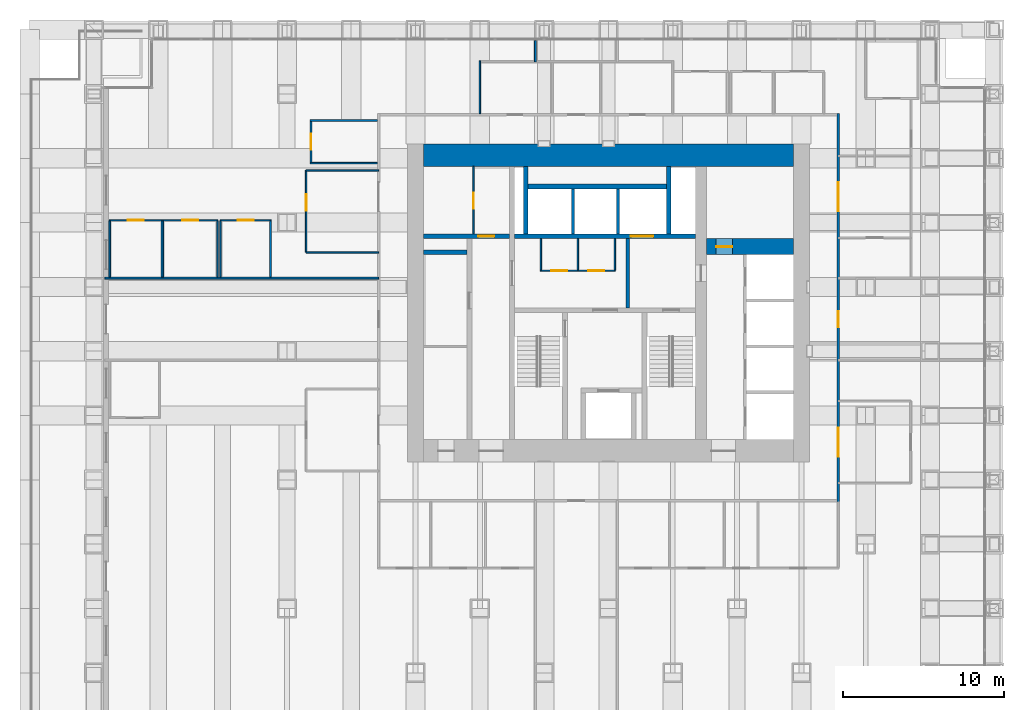
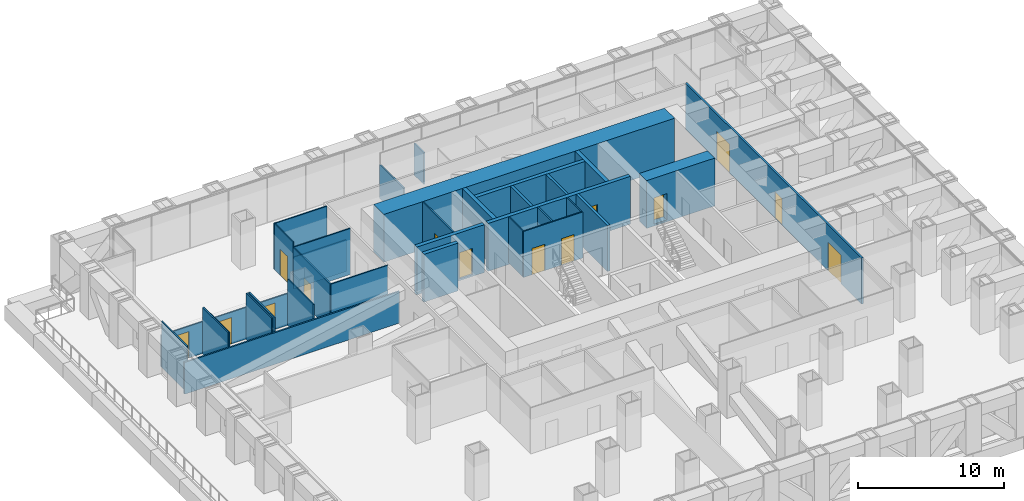
# One storey, part 15 of 18: 35 walls, 14 doors, 14 openings.
"""IFC4 building model written with IfcOpenShell, lengths in metres."""

from ifc_helpers import new_model, si_unit, direction, frame, frame_2d, origin, place, context, subcontext, project, spatial, rectangle, extrude, material, layer, layer_set, type_object, element, fill, save


model = new_model("IFC4")

# Units and contexts
model_context = context("Model", 3, precision=1e-05, world=origin(), true_north=direction((0.0, 1.0)))
body_context = subcontext(model_context, "Body", "Model", "MODEL_VIEW")
ifc_project = project(units=[si_unit("LENGTHUNIT", "METRE"), si_unit("AREAUNIT", "SQUARE_METRE"), si_unit("VOLUMEUNIT", "CUBIC_METRE"), si_unit("PLANEANGLEUNIT", "RADIAN"), si_unit("MASSUNIT", "GRAM", prefix="KILO")], contexts=[model_context])

# Site, building, storey
site_placement = place(None, origin())
site = spatial("IfcSite", under=ifc_project, at=site_placement, CompositionType="ELEMENT")
building_placement = place(site_placement, origin())
building = spatial("IfcBuilding", under=site, at=building_placement, Name="Rimbunsela Tower", CompositionType="ELEMENT")
storey_placement = place(building_placement, frame((0.0, 0.0, 11.0)))
storey = spatial("IfcBuildingStorey", under=building, at=storey_placement, Name="L02", CompositionType="ELEMENT", Elevation=11.0)

# Wall, opening, door
ifc_material_1 = material(Name="Concrete fc' 80 MPa", Category="concrete")
ifc_layer_1 = layer(ifc_material_1, 0.300048828125)
ifc_layer_set_1 = layer_set([ifc_layer_1], Name="Core internal wall 300")
wall_type_1 = type_object("IfcWallType", Name="Core internal wall 300", PredefinedType="SHEAR", material=ifc_layer_set_1)
wall_1_placement = place(storey_placement, frame((24.14990234375, 31.14990234375, -0.14990234375), z_axis=(0.0, 0.0, 1.0), x_axis=(1.0, 0.0, 0.0)))
wall_1 = element("IfcWall", 1, at=wall_1_placement, inside=storey, type_object=wall_type_1, Name="Lift shaft front north", PredefinedType="SHEAR", context=body_context, shape_type="SweptSolid", body=[
    extrude(rectangle(XDim=11.25, YDim=0.300048828125, at=frame_2d((5.625, 0.0))), origin(), (0.0, 0.0, 1.0), 4.0),
])
opening_1_placement = place(wall_1_placement, frame((7.25, 0.0, 0.14990234375)))
opening_1 = element("IfcOpeningElement", 2, at=opening_1_placement, cuts=wall_1, Name="Opening LD3", PredefinedType="OPENING", context=body_context, shape_type="SweptSolid", body=[
    extrude(rectangle(XDim=1.39990234375, YDim=2.39990234375, at=frame_2d((0.699951171875, 1.199951171875))), frame((0.0, 0.159912109375, 0.0), z_axis=(0.0, -1.0, 0.0), x_axis=(1.0, 0.0, 0.0)), (0.0, 0.0, 1.0), 0.320068359375),
])
ifc_material_2 = material(Name="Steel door, fire rated", Category="steel")
door_type_1 = type_object("IfcDoorType", Name="Lift landing door 1400", OperationType="DOUBLE_DOOR_SLIDING", PredefinedType="DOOR", material=ifc_material_2)
door_1_placement = place(opening_1_placement, origin())
door_1 = element("IfcDoor", 3, at=door_1_placement, inside=storey, type_object=door_type_1, Name="Lift landing door FL2", OperationType="DOUBLE_DOOR_SLIDING", OverallHeight=2.39990234375, OverallWidth=1.39990234375, PredefinedType="DOOR", context=body_context, shape_type="SweptSolid", body=[
    extrude(rectangle(XDim=1.39990234375, YDim=2.39990234375, at=frame_2d((0.699951171875, 1.199951171875))), frame((0.0, 0.02490234375, 0.0), z_axis=(0.0, -1.0, 0.0), x_axis=(1.0, 0.0, 0.0)), (0.0, 0.0, 1.0), 0.050048828125),
])
fill(opening_1, door_1)

wall_2_placement = place(storey_placement, frame((18.5, 31.14990234375, -0.14990234375), z_axis=(0.0, 0.0, 1.0), x_axis=(1.0, 0.0, 0.0)))
wall_2 = element("IfcWall", 4, at=wall_2_placement, inside=storey, type_object=wall_type_1, Name="Store wall", PredefinedType="SHEAR", context=body_context, shape_type="SweptSolid", body=[
    extrude(rectangle(XDim=5.35009765625, YDim=0.300048828125, at=frame_2d((2.675048828125, 0.0))), origin(), (0.0, 0.0, 1.0), 4.0),
])
opening_2_placement = place(wall_2_placement, frame((3.39990234375, 0.0, 0.14990234375)))
opening_2 = element("IfcOpeningElement", 5, at=opening_2_placement, cuts=wall_2, Name="Opening D19", PredefinedType="OPENING", context=body_context, shape_type="SweptSolid", body=[
    extrude(rectangle(XDim=1.0, YDim=2.199951171875, at=frame_2d((0.5, 1.10009765625))), frame((0.0, 0.159912109375, 0.0), z_axis=(0.0, -1.0, 0.0), x_axis=(1.0, 0.0, 0.0)), (0.0, 0.0, 1.0), 0.320068359375),
])
ifc_material_3 = material(Name="Steel door, fire rated", Category="steel")
door_type_2 = type_object("IfcDoorType", Name="Service door 1000 fire rated", OperationType="SINGLE_SWING_LEFT", PredefinedType="DOOR", material=ifc_material_3)
door_2_placement = place(opening_2_placement, origin())
door_2 = element("IfcDoor", 6, at=door_2_placement, inside=storey, type_object=door_type_2, Name="Staff pantry door", OperationType="SINGLE_SWING_LEFT", OverallHeight=2.199951171875, OverallWidth=1.0, PredefinedType="DOOR", context=body_context, shape_type="SweptSolid", body=[
    extrude(rectangle(XDim=1.0, YDim=2.199951171875, at=frame_2d((0.5, 1.10009765625))), frame((0.0, 0.02490234375, 0.0), z_axis=(0.0, -1.0, 0.0), x_axis=(1.0, 0.0, 0.0)), (0.0, 0.0, 1.0), 0.050048828125),
])
fill(opening_2, door_2)

# Walls
wall_3_placement = place(storey_placement, frame((18.5, 30.14990234375, -0.14990234375), z_axis=(0.0, 0.0, 1.0), x_axis=(1.0, 0.0, 0.0)))
element("IfcWall", 7, at=wall_3_placement, inside=storey, type_object=wall_type_1, Name="Lift shaft rear west", PredefinedType="SHEAR", context=body_context, shape_type="SweptSolid", body=[
    extrude(rectangle(XDim=2.699951171875, YDim=0.300048828125, at=frame_2d((1.35009765625, 0.0))), origin(), (0.0, 0.0, 1.0), 4.0),
])
for number, where, z_axis, x_axis, name in (
    (8, (24.85009765625, 31.300048828125, -0.14990234375), (0.0, 0.0, 1.0), (0.0, 1.0, 0.0), "Riser wall"),
    (9, (33.75, 31.300048828125, -0.14990234375), (0.0, 0.0, 1.0), (0.0, 1.0, 0.0), "Riser wall"),
):
    element("IfcWall", number, at=place(storey_placement, frame(where, z_axis=z_axis, x_axis=x_axis)), inside=storey, type_object=wall_type_1, Name=name, PredefinedType="SHEAR", context=body_context, shape_type="SweptSolid", body=[
        extrude(rectangle(XDim=4.199951171875, YDim=0.300048828125, at=frame_2d((2.10009765625, 0.0))), origin(), (0.0, 0.0, 1.0), 4.0),
    ])
wall_4_placement = place(storey_placement, frame((25.0, 34.25, -0.14990234375), z_axis=(0.0, 0.0, 1.0), x_axis=(1.0, 0.0, 0.0)))
element("IfcWall", 10, at=wall_4_placement, inside=storey, type_object=wall_type_1, Name="Lift shaft rear north", PredefinedType="SHEAR", context=body_context, shape_type="SweptSolid", body=[
    extrude(rectangle(XDim=8.60009765625, YDim=0.300048828125, at=frame_2d((4.300048828125, 0.0))), origin(), (0.0, 0.0, 1.0), 4.0),
])

# Wall, opening, door
ifc_material_4 = material(Name="Concrete blockwork", Category="masonry")
ifc_layer_2 = layer(ifc_material_4, 0.10009765625)
ifc_layer_set_2 = layer_set([ifc_layer_2], Name="Core room partition 100")
wall_type_2 = type_object("IfcWallType", Name="Core room partition 100", PredefinedType="PARTITIONING", material=ifc_layer_set_2)
wall_5_placement = place(storey_placement, frame((21.60009765625, 31.300048828125, 0.0), z_axis=(0.0, 0.0, 1.0), x_axis=(0.0, 1.0, 0.0)))
wall_5 = element("IfcWall", 11, at=wall_5_placement, inside=storey, type_object=wall_type_2, Name="Housekeeping store wall", PredefinedType="PARTITIONING", context=body_context, shape_type="SweptSolid", body=[
    extrude(rectangle(XDim=4.199951171875, YDim=0.10009765625, at=frame_2d((2.10009765625, 0.0))), origin(), (0.0, 0.0, 1.0), 3.85009765625),
])
opening_3_placement = place(wall_5_placement, frame((1.550048828125, 0.0, 0.0)))
opening_3 = element("IfcOpeningElement", 12, at=opening_3_placement, cuts=wall_5, Name="Opening D19", PredefinedType="OPENING", context=body_context, shape_type="SweptSolid", body=[
    extrude(rectangle(XDim=1.0, YDim=2.199951171875, at=frame_2d((0.5, 1.10009765625))), frame((0.0, 0.06005859375, 0.0), z_axis=(0.0, -1.0, 0.0), x_axis=(1.0, 0.0, 0.0)), (0.0, 0.0, 1.0), 0.1201171875),
])
door_3_placement = place(opening_3_placement, origin())
door_3 = element("IfcDoor", 13, at=door_3_placement, inside=storey, type_object=door_type_2, Name="Housekeeping store door", OperationType="SINGLE_SWING_LEFT", OverallHeight=2.199951171875, OverallWidth=1.0, PredefinedType="DOOR", context=body_context, shape_type="SweptSolid", body=[
    extrude(rectangle(XDim=1.0, YDim=2.199951171875, at=frame_2d((0.5, 1.10009765625))), frame((0.0, 0.02490234375, 0.0), z_axis=(0.0, -1.0, 0.0), x_axis=(1.0, 0.0, 0.0)), (0.0, 0.0, 1.0), 0.050048828125),
])
fill(opening_3, door_3)

# Wall, openings, doors
wall_6_placement = place(storey_placement, frame((25.75, 29.0, 0.0), z_axis=(0.0, 0.0, 1.0), x_axis=(1.0, 0.0, 0.0)))
wall_6 = element("IfcWall", 14, at=wall_6_placement, inside=storey, type_object=wall_type_2, Name="Lobby room wall", PredefinedType="PARTITIONING", context=body_context, shape_type="SweptSolid", body=[
    extrude(rectangle(XDim=4.699951171875, YDim=0.10009765625, at=frame_2d((2.35009765625, 0.0))), origin(), (0.0, 0.0, 1.0), 3.85009765625),
])
opening_4_placement = place(wall_6_placement, frame((0.699951171875, 0.0, 0.0)))
opening_4 = element("IfcOpeningElement", 15, at=opening_4_placement, cuts=wall_6, Name="Opening D19", PredefinedType="OPENING", context=body_context, shape_type="SweptSolid", body=[
    extrude(rectangle(XDim=1.0, YDim=2.199951171875, at=frame_2d((0.5, 1.10009765625))), frame((0.0, 0.06005859375, 0.0), z_axis=(0.0, -1.0, 0.0), x_axis=(1.0, 0.0, 0.0)), (0.0, 0.0, 1.0), 0.1201171875),
])
opening_5_placement = place(wall_6_placement, frame((3.0, 0.0, 0.0)))
opening_5 = element("IfcOpeningElement", 16, at=opening_5_placement, cuts=wall_6, Name="Opening D19", PredefinedType="OPENING", context=body_context, shape_type="SweptSolid", body=[
    extrude(rectangle(XDim=1.0, YDim=2.199951171875, at=frame_2d((0.5, 1.10009765625))), frame((0.0, 0.06005859375, 0.0), z_axis=(0.0, -1.0, 0.0), x_axis=(1.0, 0.0, 0.0)), (0.0, 0.0, 1.0), 0.1201171875),
])
door_4_placement = place(opening_4_placement, origin())
door_4 = element("IfcDoor", 17, at=door_4_placement, inside=storey, type_object=door_type_2, Name="Staff WC door", OperationType="SINGLE_SWING_LEFT", OverallHeight=2.199951171875, OverallWidth=1.0, PredefinedType="DOOR", context=body_context, shape_type="SweptSolid", body=[
    extrude(rectangle(XDim=1.0, YDim=2.199951171875, at=frame_2d((0.5, 1.10009765625))), frame((0.0, 0.02490234375, 0.0), z_axis=(0.0, -1.0, 0.0), x_axis=(1.0, 0.0, 0.0)), (0.0, 0.0, 1.0), 0.050048828125),
])
fill(opening_4, door_4)
door_5_placement = place(opening_5_placement, origin())
door_5 = element("IfcDoor", 18, at=door_5_placement, inside=storey, type_object=door_type_2, Name="Cleaners store door", OperationType="SINGLE_SWING_LEFT", OverallHeight=2.199951171875, OverallWidth=1.0, PredefinedType="DOOR", context=body_context, shape_type="SweptSolid", body=[
    extrude(rectangle(XDim=1.0, YDim=2.199951171875, at=frame_2d((0.5, 1.10009765625))), frame((0.0, 0.02490234375, 0.0), z_axis=(0.0, -1.0, 0.0), x_axis=(1.0, 0.0, 0.0)), (0.0, 0.0, 1.0), 0.050048828125),
])
fill(opening_5, door_5)

# Walls
for number, where, z_axis, x_axis, name in (
    (19, (25.800048828125, 29.050048828125, 0.0), (0.0, 0.0, 1.0), (0.0, 1.0, 0.0), "Lobby room wall"),
    (20, (30.39990234375, 29.050048828125, 0.0), (0.0, 0.0, 1.0), (0.0, 1.0, 0.0), "Lobby room wall"),
    (21, (28.10009765625, 29.050048828125, 0.0), (0.0, 0.0, 1.0), (0.0, 1.0, 0.0), "Lobby room wall"),
):
    element("IfcWall", number, at=place(storey_placement, frame(where, z_axis=z_axis, x_axis=x_axis)), inside=storey, type_object=wall_type_2, Name=name, PredefinedType="PARTITIONING", context=body_context, shape_type="SweptSolid", body=[
        extrude(rectangle(XDim=1.949951171875, YDim=0.10009765625, at=frame_2d((0.97509765625, 0.0))), origin(), (0.0, 0.0, 1.0), 3.85009765625),
    ])

# Wall, opening, door
ifc_material_5 = material(Name="Concrete fc' 80 MPa", Category="concrete")
ifc_layer_3 = layer(ifc_material_5, 1.0)
ifc_layer_set_3 = layer_set([ifc_layer_3], Name="Core wall 1000")
wall_type_3 = type_object("IfcWallType", Name="Core wall 1000", PredefinedType="SHEAR", material=ifc_layer_set_3)
wall_7_placement = place(storey_placement, frame((36.10009765625, 30.5, -0.14990234375), z_axis=(0.0, 0.0, 1.0), x_axis=(1.0, 0.0, 0.0)))
wall_7 = element("IfcWall", 22, at=wall_7_placement, inside=storey, type_object=wall_type_3, Name="Lift shaft rear east", PredefinedType="SHEAR", context=body_context, shape_type="SweptSolid", body=[
    extrude(rectangle(XDim=5.39990234375, YDim=1.0, at=frame_2d((2.699951171875, 0.0))), origin(), (0.0, 0.0, 1.0), 4.0),
])
opening_6_placement = place(wall_7_placement, frame((0.60009765625, 0.0, 0.14990234375)))
opening_6 = element("IfcOpeningElement", 23, at=opening_6_placement, cuts=wall_7, Name="Opening D19", PredefinedType="OPENING", context=body_context, shape_type="SweptSolid", body=[
    extrude(rectangle(XDim=1.0, YDim=2.199951171875, at=frame_2d((0.5, 1.10009765625))), frame((0.0, 0.510009765625, 0.0), z_axis=(0.0, -1.0, 0.0), x_axis=(1.0, 0.0, 0.0)), (0.0, 0.0, 1.0), 1.02001953125),
])
door_6_placement = place(opening_6_placement, origin())
door_6 = element("IfcDoor", 24, at=door_6_placement, inside=storey, type_object=door_type_2, Name="Communications room door", OperationType="SINGLE_SWING_LEFT", OverallHeight=2.199951171875, OverallWidth=1.0, PredefinedType="DOOR", context=body_context, shape_type="SweptSolid", body=[
    extrude(rectangle(XDim=1.0, YDim=2.199951171875, at=frame_2d((0.5, 1.10009765625))), frame((0.0, 0.02490234375, 0.0), z_axis=(0.0, -1.0, 0.0), x_axis=(1.0, 0.0, 0.0)), (0.0, 0.0, 1.0), 0.050048828125),
])
fill(opening_6, door_6)

# Walls
ifc_material_6 = material(Name="Concrete fc' 80 MPa", Category="concrete")
ifc_layer_4 = layer(ifc_material_6, 1.39990234375)
ifc_layer_set_4 = layer_set([ifc_layer_4], Name="Core wall 1400")
wall_type_4 = type_object("IfcWallType", Name="Core wall 1400", PredefinedType="SHEAR", material=ifc_layer_set_4)
wall_8_placement = place(storey_placement, frame((18.5, 36.199951171875, -0.14990234375), z_axis=(0.0, 0.0, 1.0), x_axis=(1.0, 0.0, 0.0)))
element("IfcWall", 25, at=wall_8_placement, inside=storey, type_object=wall_type_4, Name="Core wall north", PredefinedType="SHEAR", context=body_context, shape_type="SweptSolid", body=[
    extrude(rectangle(XDim=23.0, YDim=1.39990234375, at=frame_2d((11.5, 0.0))), origin(), (0.0, 0.0, 1.0), 4.0),
])
ifc_material_7 = material(Name="Concrete blockwork", Category="masonry")
ifc_layer_5 = layer(ifc_material_7, 0.199951171875)
ifc_layer_set_5 = layer_set([ifc_layer_5], Name="Lift shaft wall 200")
wall_type_5 = type_object("IfcWallType", Name="Lift shaft wall 200", PredefinedType="SOLIDWALL", material=ifc_layer_set_5)
for number, where, z_axis, x_axis, name in (
    (26, (27.800048828125, 31.300048828125, -0.14990234375), (0.0, 0.0, 1.0), (0.0, 1.0, 0.0), "Lift shaft separation"),
    (27, (30.60009765625, 31.300048828125, -0.14990234375), (0.0, 0.0, 1.0), (0.0, 1.0, 0.0), "Lift shaft separation"),
):
    element("IfcWall", number, at=place(storey_placement, frame(where, z_axis=z_axis, x_axis=x_axis)), inside=storey, type_object=wall_type_5, Name=name, PredefinedType="SOLIDWALL", context=body_context, shape_type="SweptSolid", body=[
        extrude(rectangle(XDim=2.800048828125, YDim=0.199951171875, at=frame_2d((1.39990234375, 0.0))), origin(), (0.0, 0.0, 1.0), 4.0),
    ])
wall_9_placement = place(storey_placement, frame((31.199951171875, 26.699951171875, 0.0), z_axis=(0.0, 0.0, 1.0), x_axis=(0.0, 1.0, 0.0)))
element("IfcWall", 28, at=wall_9_placement, inside=storey, type_object=wall_type_5, Name="Firefighting lobby 2 wall", PredefinedType="SOLIDWALL", context=body_context, shape_type="SweptSolid", body=[
    extrude(rectangle(XDim=4.300048828125, YDim=0.199951171875, at=frame_2d((2.14990234375, 0.0))), origin(), (0.0, 0.0, 1.0), 3.85009765625),
])

# Wall, opening, door
ifc_material_8 = material(Name="Gypsum board on steel studs", Category="steel")
ifc_layer_6 = layer(ifc_material_8, 0.10009765625)
ifc_layer_set_6 = layer_set([ifc_layer_6], Name="Office partition 100")
wall_type_6 = type_object("IfcWallType", Name="Office partition 100", PredefinedType="PARTITIONING", material=ifc_layer_set_6)
wall_10_placement = place(storey_placement, frame((-1.070068359375, 32.14990234375, 0.0), z_axis=(0.0, 0.0, 1.0), x_axis=(1.0, 0.0, 0.0)))
wall_10 = element("IfcWall", 29, at=wall_10_placement, inside=storey, type_object=wall_type_6, Name="Office partition", PredefinedType="PARTITIONING", context=body_context, shape_type="SweptSolid", body=[
    extrude(rectangle(XDim=3.35009765625, YDim=0.10009765625, at=frame_2d((1.675048828125, 0.0))), origin(), (0.0, 0.0, 1.0), 2.64990234375),
])
opening_7_placement = place(wall_10_placement, frame((1.175048828125, 0.0, 0.0)))
opening_7 = element("IfcOpeningElement", 30, at=opening_7_placement, cuts=wall_10, Name="Opening D16", PredefinedType="OPENING", context=body_context, shape_type="SweptSolid", body=[
    extrude(rectangle(XDim=1.0, YDim=2.199951171875, at=frame_2d((0.5, 1.10009765625))), frame((0.0, 0.06005859375, 0.0), z_axis=(0.0, -1.0, 0.0), x_axis=(1.0, 0.0, 0.0)), (0.0, 0.0, 1.0), 0.1201171875),
])
ifc_material_9 = material(Name="Timber door", Category="wood")
door_type_3 = type_object("IfcDoorType", Name="Office door 1000", OperationType="SINGLE_SWING_LEFT", PredefinedType="DOOR", material=ifc_material_9)
door_7_placement = place(opening_7_placement, origin())
door_7 = element("IfcDoor", 31, at=door_7_placement, inside=storey, type_object=door_type_3, Name="Office door", OperationType="SINGLE_SWING_LEFT", OverallHeight=2.199951171875, OverallWidth=1.0, PredefinedType="DOOR", context=body_context, shape_type="SweptSolid", body=[
    extrude(rectangle(XDim=1.0, YDim=2.199951171875, at=frame_2d((0.5, 1.10009765625))), frame((0.0, 0.02490234375, 0.0), z_axis=(0.0, -1.0, 0.0), x_axis=(1.0, 0.0, 0.0)), (0.0, 0.0, 1.0), 0.050048828125),
])
fill(opening_7, door_7)

wall_11_placement = place(storey_placement, frame((2.22998046875, 32.14990234375, 0.0), z_axis=(0.0, 0.0, 1.0), x_axis=(1.0, 0.0, 0.0)))
wall_11 = element("IfcWall", 32, at=wall_11_placement, inside=storey, type_object=wall_type_6, Name="Office partition", PredefinedType="PARTITIONING", context=body_context, shape_type="SweptSolid", body=[
    extrude(rectangle(XDim=3.5, YDim=0.10009765625, at=frame_2d((1.75, 0.0))), origin(), (0.0, 0.0, 1.0), 2.64990234375),
])
opening_8_placement = place(wall_11_placement, frame((1.25, 0.0, 0.0)))
opening_8 = element("IfcOpeningElement", 33, at=opening_8_placement, cuts=wall_11, Name="Opening D16", PredefinedType="OPENING", context=body_context, shape_type="SweptSolid", body=[
    extrude(rectangle(XDim=1.0, YDim=2.199951171875, at=frame_2d((0.5, 1.10009765625))), frame((0.0, 0.06005859375, 0.0), z_axis=(0.0, -1.0, 0.0), x_axis=(1.0, 0.0, 0.0)), (0.0, 0.0, 1.0), 0.1201171875),
])
door_8_placement = place(opening_8_placement, origin())
door_8 = element("IfcDoor", 34, at=door_8_placement, inside=storey, type_object=door_type_3, Name="Office door", OperationType="SINGLE_SWING_LEFT", OverallHeight=2.199951171875, OverallWidth=1.0, PredefinedType="DOOR", context=body_context, shape_type="SweptSolid", body=[
    extrude(rectangle(XDim=1.0, YDim=2.199951171875, at=frame_2d((0.5, 1.10009765625))), frame((0.0, 0.02490234375, 0.0), z_axis=(0.0, -1.0, 0.0), x_axis=(1.0, 0.0, 0.0)), (0.0, 0.0, 1.0), 0.050048828125),
])
fill(opening_8, door_8)

wall_12_placement = place(storey_placement, frame((5.830078125, 32.14990234375, 0.0), z_axis=(0.0, 0.0, 1.0), x_axis=(1.0, 0.0, 0.0)))
wall_12 = element("IfcWall", 35, at=wall_12_placement, inside=storey, type_object=wall_type_6, Name="Office partition", PredefinedType="PARTITIONING", context=body_context, shape_type="SweptSolid", body=[
    extrude(rectangle(XDim=3.199951171875, YDim=0.10009765625, at=frame_2d((1.60009765625, 0.0))), origin(), (0.0, 0.0, 1.0), 2.64990234375),
])
opening_9_placement = place(wall_12_placement, frame((1.10009765625, 0.0, 0.0)))
opening_9 = element("IfcOpeningElement", 36, at=opening_9_placement, cuts=wall_12, Name="Opening D16", PredefinedType="OPENING", context=body_context, shape_type="SweptSolid", body=[
    extrude(rectangle(XDim=1.0, YDim=2.199951171875, at=frame_2d((0.5, 1.10009765625))), frame((0.0, 0.06005859375, 0.0), z_axis=(0.0, -1.0, 0.0), x_axis=(1.0, 0.0, 0.0)), (0.0, 0.0, 1.0), 0.1201171875),
])
door_9_placement = place(opening_9_placement, origin())
door_9 = element("IfcDoor", 37, at=door_9_placement, inside=storey, type_object=door_type_3, Name="Office door", OperationType="SINGLE_SWING_LEFT", OverallHeight=2.199951171875, OverallWidth=1.0, PredefinedType="DOOR", context=body_context, shape_type="SweptSolid", body=[
    extrude(rectangle(XDim=1.0, YDim=2.199951171875, at=frame_2d((0.5, 1.10009765625))), frame((0.0, 0.02490234375, 0.0), z_axis=(0.0, -1.0, 0.0), x_axis=(1.0, 0.0, 0.0)), (0.0, 0.0, 1.0), 0.050048828125),
])
fill(opening_9, door_9)

# Walls
wall_13_placement = place(storey_placement, frame((11.449951171875, 35.699951171875, 0.0), z_axis=(0.0, 0.0, 1.0), x_axis=(1.0, 0.0, 0.0)))
element("IfcWall", 38, at=wall_13_placement, inside=storey, type_object=wall_type_6, Name="Office partition", PredefinedType="PARTITIONING", context=body_context, shape_type="SweptSolid", body=[
    extrude(rectangle(XDim=4.175048828125, YDim=0.10009765625, at=frame_2d((2.08740234375, 0.0))), origin(), (0.0, 0.0, 1.0), 2.64990234375),
])
wall_14_placement = place(storey_placement, frame((11.449951171875, 38.35009765625, 0.0), z_axis=(0.0, 0.0, 1.0), x_axis=(1.0, 0.0, 0.0)))
element("IfcWall", 39, at=wall_14_placement, inside=storey, type_object=wall_type_6, Name="Office partition", PredefinedType="PARTITIONING", context=body_context, shape_type="SweptSolid", body=[
    extrude(rectangle(XDim=4.175048828125, YDim=0.10009765625, at=frame_2d((2.08740234375, 0.0))), origin(), (0.0, 0.0, 1.0), 3.85009765625),
])
for number, where, z_axis, x_axis, name in (
    (40, (-1.02001953125, 28.610107421875, 0.0), (0.0, 0.0, 1.0), (0.0, 1.0, 0.0), "Office partition"),
    (41, (2.22998046875, 28.610107421875, 0.0), (0.0, 0.0, 1.0), (0.0, 1.0, 0.0), "Office partition"),
    (42, (2.280029296875, 28.610107421875, 0.0), (0.0, 0.0, 1.0), (0.0, 1.0, 0.0), "Office partition"),
    (43, (5.679931640625, 28.610107421875, 0.0), (0.0, 0.0, 1.0), (0.0, 1.0, 0.0), "Office partition"),
    (44, (5.8798828125, 28.610107421875, 0.0), (0.0, 0.0, 1.0), (0.0, 1.0, 0.0), "Office partition"),
    (45, (8.97998046875, 28.610107421875, 0.0), (0.0, 0.0, 1.0), (0.0, 1.0, 0.0), "Office partition"),
):
    element("IfcWall", number, at=place(storey_placement, frame(where, z_axis=z_axis, x_axis=x_axis)), inside=storey, type_object=wall_type_6, Name=name, PredefinedType="PARTITIONING", context=body_context, shape_type="SweptSolid", body=[
        extrude(rectangle(XDim=3.489990234375, YDim=0.10009765625, at=frame_2d((1.7451171875, 0.0))), origin(), (0.0, 0.0, 1.0), 3.85009765625),
    ])

# Wall, opening, door
wall_15_placement = place(storey_placement, frame((11.5, 35.75, 0.0), z_axis=(0.0, 0.0, 1.0), x_axis=(0.0, 1.0, 0.0)))
wall_15 = element("IfcWall", 46, at=wall_15_placement, inside=storey, type_object=wall_type_6, Name="Office partition", PredefinedType="PARTITIONING", context=body_context, shape_type="SweptSolid", body=[
    extrude(rectangle(XDim=2.550048828125, YDim=0.10009765625, at=frame_2d((1.27490234375, 0.0))), origin(), (0.0, 0.0, 1.0), 3.85009765625),
])
opening_10_placement = place(wall_15_placement, frame((0.77490234375, 0.0, 0.0)))
opening_10 = element("IfcOpeningElement", 47, at=opening_10_placement, cuts=wall_15, Name="Opening D16", PredefinedType="OPENING", context=body_context, shape_type="SweptSolid", body=[
    extrude(rectangle(XDim=1.0, YDim=2.199951171875, at=frame_2d((0.5, 1.10009765625))), frame((0.0, 0.06005859375, 0.0), z_axis=(0.0, -1.0, 0.0), x_axis=(1.0, 0.0, 0.0)), (0.0, 0.0, 1.0), 0.1201171875),
])
door_10_placement = place(opening_10_placement, origin())
door_10 = element("IfcDoor", 48, at=door_10_placement, inside=storey, type_object=door_type_3, Name="Office door", OperationType="SINGLE_SWING_LEFT", OverallHeight=2.199951171875, OverallWidth=1.0, PredefinedType="DOOR", context=body_context, shape_type="SweptSolid", body=[
    extrude(rectangle(XDim=1.0, YDim=2.199951171875, at=frame_2d((0.5, 1.10009765625))), frame((0.0, 0.02490234375, 0.0), z_axis=(0.0, -1.0, 0.0), x_axis=(1.0, 0.0, 0.0)), (0.0, 0.0, 1.0), 0.050048828125),
])
fill(opening_10, door_10)

# Wall
wall_16_placement = place(storey_placement, frame((15.699951171875, 35.25, 0.0), z_axis=(0.0, 0.0, 1.0), x_axis=(-1.0, 0.0, 0.0)))
element("IfcWall", 49, at=wall_16_placement, inside=storey, type_object=wall_type_6, Name="Office partition", PredefinedType="PARTITIONING", context=body_context, shape_type="SweptSolid", body=[
    extrude(rectangle(XDim=4.5, YDim=0.10009765625, at=frame_2d((2.25, 0.0))), origin(), (0.0, 0.0, 1.0), 3.85009765625),
])

# Wall, opening, door
wall_17_placement = place(storey_placement, frame((11.199951171875, 35.25, 0.0), z_axis=(0.0, 0.0, 1.0), x_axis=(0.0, -1.0, 0.0)))
wall_17 = element("IfcWall", 50, at=wall_17_placement, inside=storey, type_object=wall_type_6, Name="Office partition", PredefinedType="PARTITIONING", context=body_context, shape_type="SweptSolid", body=[
    extrude(rectangle(XDim=5.10009765625, YDim=0.10009765625, at=frame_2d((2.550048828125, 0.0))), origin(), (0.0, 0.0, 1.0), 3.85009765625),
])
opening_11_placement = place(wall_17_placement, frame((1.5, 0.0, 0.0)))
opening_11 = element("IfcOpeningElement", 51, at=opening_11_placement, cuts=wall_17, Name="Opening D17", PredefinedType="OPENING", context=body_context, shape_type="SweptSolid", body=[
    extrude(rectangle(XDim=1.0, YDim=2.199951171875, at=frame_2d((0.5, 1.10009765625))), frame((0.0, 0.06005859375, 0.0), z_axis=(0.0, -1.0, 0.0), x_axis=(1.0, 0.0, 0.0)), (0.0, 0.0, 1.0), 0.1201171875),
])
ifc_material_10 = material(Name="Glazed aluminium door", Category="aluminium")
door_type_4 = type_object("IfcDoorType", Name="Meeting room door 1000 glazed", OperationType="SINGLE_SWING_RIGHT", PredefinedType="DOOR", material=ifc_material_10)
door_11_placement = place(opening_11_placement, origin())
door_11 = element("IfcDoor", 52, at=door_11_placement, inside=storey, type_object=door_type_4, Name="Reception door", OperationType="SINGLE_SWING_RIGHT", OverallHeight=2.199951171875, OverallWidth=1.0, PredefinedType="DOOR", context=body_context, shape_type="SweptSolid", body=[
    extrude(rectangle(XDim=1.0, YDim=2.199951171875, at=frame_2d((0.5, 1.10009765625))), frame((0.0, 0.02490234375, 0.0), z_axis=(0.0, -1.0, 0.0), x_axis=(1.0, 0.0, 0.0)), (0.0, 0.0, 1.0), 0.050048828125),
])
fill(opening_11, door_11)

# Wall
wall_18_placement = place(storey_placement, frame((11.199951171875, 30.14990234375, 0.0), z_axis=(0.0, 0.0, 1.0), x_axis=(1.0, 0.0, 0.0)))
element("IfcWall", 53, at=wall_18_placement, inside=storey, type_object=wall_type_6, Name="Office partition", PredefinedType="PARTITIONING", context=body_context, shape_type="SweptSolid", body=[
    extrude(rectangle(XDim=4.5, YDim=0.10009765625, at=frame_2d((2.25, 0.0))), origin(), (0.0, 0.0, 1.0), 3.85009765625),
])

# Wall, openings, doors
ifc_material_11 = material(Name="Fire-rated gypsum board on steel studs, EI 60", Category="steel")
ifc_layer_7 = layer(ifc_material_11, 0.14990234375)
ifc_layer_set_7 = layer_set([ifc_layer_7], Name="Rated corridor wall 150")
wall_type_7 = type_object("IfcWallType", Name="Rated corridor wall 150", PredefinedType="PARTITIONING", material=ifc_layer_set_7)
wall_19_placement = place(storey_placement, frame((44.300048828125, 14.625, 0.0), z_axis=(0.0, 0.0, 1.0), x_axis=(0.0, 1.0, 0.0)))
wall_19 = element("IfcWall", 54, at=wall_19_placement, inside=storey, type_object=wall_type_7, Name="Corridor wall east", PredefinedType="PARTITIONING", context=body_context, shape_type="SweptSolid", body=[
    extrude(rectangle(XDim=24.14990234375, YDim=0.14990234375, at=frame_2d((12.074951171875, 0.0))), origin(), (0.0, 0.0, 1.0), 3.85009765625),
])
opening_12_placement = place(wall_19_placement, frame((2.823974609375, 0.0, 0.0)))
opening_12 = element("IfcOpeningElement", 55, at=opening_12_placement, cuts=wall_19, Name="Opening D09", PredefinedType="OPENING", context=body_context, shape_type="SweptSolid", body=[
    extrude(rectangle(XDim=1.800048828125, YDim=2.39990234375, at=frame_2d((0.89990234375, 1.199951171875))), frame((0.0, 0.0849609375, 0.0), z_axis=(0.0, -1.0, 0.0), x_axis=(1.0, 0.0, 0.0)), (0.0, 0.0, 1.0), 0.169921875),
])
opening_13_placement = place(wall_19_placement, frame((18.074951171875, 0.0, 0.0)))
opening_13 = element("IfcOpeningElement", 56, at=opening_13_placement, cuts=wall_19, Name="Opening D09", PredefinedType="OPENING", context=body_context, shape_type="SweptSolid", body=[
    extrude(rectangle(XDim=1.800048828125, YDim=2.39990234375, at=frame_2d((0.89990234375, 1.199951171875))), frame((0.0, 0.0849609375, 0.0), z_axis=(0.0, -1.0, 0.0), x_axis=(1.0, 0.0, 0.0)), (0.0, 0.0, 1.0), 0.169921875),
])
opening_14_placement = place(wall_19_placement, frame((10.875, 0.0, 0.0)))
opening_14 = element("IfcOpeningElement", 57, at=opening_14_placement, cuts=wall_19, Name="Opening D19", PredefinedType="OPENING", context=body_context, shape_type="SweptSolid", body=[
    extrude(rectangle(XDim=1.0, YDim=2.199951171875, at=frame_2d((0.5, 1.10009765625))), frame((0.0, 0.0849609375, 0.0), z_axis=(0.0, -1.0, 0.0), x_axis=(1.0, 0.0, 0.0)), (0.0, 0.0, 1.0), 0.169921875),
])
door_12_placement = place(opening_14_placement, origin())
door_12 = element("IfcDoor", 58, at=door_12_placement, inside=storey, type_object=door_type_2, Name="Service chase access door", OperationType="SINGLE_SWING_LEFT", OverallHeight=2.199951171875, OverallWidth=1.0, PredefinedType="DOOR", context=body_context, shape_type="SweptSolid", body=[
    extrude(rectangle(XDim=1.0, YDim=2.199951171875, at=frame_2d((0.5, 1.10009765625))), frame((0.0, 0.02490234375, 0.0), z_axis=(0.0, -1.0, 0.0), x_axis=(1.0, 0.0, 0.0)), (0.0, 0.0, 1.0), 0.050048828125),
])
fill(opening_14, door_12)
ifc_material_12 = material(Name="Glazed aluminium door, fire rated", Category="aluminium")
door_type_5 = type_object("IfcDoorType", Name="Tenancy door 1800 glazed", OperationType="DOUBLE_DOOR_DOUBLE_SWING", PredefinedType="DOOR", material=ifc_material_12)
door_13_placement = place(opening_12_placement, origin())
door_13 = element("IfcDoor", 59, at=door_13_placement, inside=storey, type_object=door_type_5, Name="Tenancy door", OperationType="DOUBLE_DOOR_DOUBLE_SWING", OverallHeight=2.39990234375, OverallWidth=1.800048828125, PredefinedType="DOOR", context=body_context, shape_type="SweptSolid", body=[
    extrude(rectangle(XDim=1.800048828125, YDim=2.39990234375, at=frame_2d((0.89990234375, 1.199951171875))), frame((0.0, 0.02490234375, 0.0), z_axis=(0.0, -1.0, 0.0), x_axis=(1.0, 0.0, 0.0)), (0.0, 0.0, 1.0), 0.050048828125),
])
fill(opening_12, door_13)
door_14_placement = place(opening_13_placement, origin())
door_14 = element("IfcDoor", 60, at=door_14_placement, inside=storey, type_object=door_type_5, Name="Tenancy door", OperationType="DOUBLE_DOOR_DOUBLE_SWING", OverallHeight=2.39990234375, OverallWidth=1.800048828125, PredefinedType="DOOR", context=body_context, shape_type="SweptSolid", body=[
    extrude(rectangle(XDim=1.800048828125, YDim=2.39990234375, at=frame_2d((0.89990234375, 1.199951171875))), frame((0.0, 0.02490234375, 0.0), z_axis=(0.0, -1.0, 0.0), x_axis=(1.0, 0.0, 0.0)), (0.0, 0.0, 1.0), 0.050048828125),
])
fill(opening_13, door_14)

# Walls
ifc_material_13 = material(Name="Gypsum board on steel studs", Category="steel")
ifc_layer_8 = layer(ifc_material_13, 0.1201171875)
ifc_layer_set_8 = layer_set([ifc_layer_8], Name="Tenancy partition 120")
wall_type_8 = type_object("IfcWallType", Name="Tenancy partition 120", PredefinedType="PARTITIONING", material=ifc_layer_set_8)
wall_20_placement = place(storey_placement, frame((-1.320068359375, 28.550048828125, 0.0), z_axis=(0.0, 0.0, 1.0), x_axis=(1.0, 0.0, 0.0)))
element("IfcWall", 61, at=wall_20_placement, inside=storey, type_object=wall_type_8, Name="Tenancy partition", PredefinedType="PARTITIONING", context=body_context, shape_type="SweptSolid", body=[
    extrude(rectangle(XDim=17.02001953125, YDim=0.1201171875, at=frame_2d((8.510009765625, 0.0))), origin(), (0.0, 0.0, 1.0), 2.64990234375),
])
wall_21_placement = place(storey_placement, frame((25.449951171875, 42.0, 0.0), z_axis=(0.0, 0.0, 1.0), x_axis=(0.0, 1.0, 0.0)))
element("IfcWall", 62, at=wall_21_placement, inside=storey, type_object=wall_type_8, Name="Tenancy partition", PredefinedType="PARTITIONING", context=body_context, shape_type="SweptSolid", body=[
    extrude(rectangle(XDim=1.320068359375, YDim=0.1201171875, at=frame_2d((0.66015625, 0.0))), origin(), (0.0, 0.0, 1.0), 2.64990234375),
])
ifc_material_14 = material(Name="Concrete blockwork", Category="masonry")
ifc_layer_9 = layer(ifc_material_14, 0.10009765625)
ifc_layer_set_9 = layer_set([ifc_layer_9], Name="Toilet partition 100")
wall_type_9 = type_object("IfcWallType", Name="Toilet partition 100", PredefinedType="PARTITIONING", material=ifc_layer_set_9)
wall_22_placement = place(storey_placement, frame((22.0, 38.77490234375, 0.0), z_axis=(0.0, 0.0, 1.0), x_axis=(0.0, 1.0, 0.0)))
element("IfcWall", 63, at=wall_22_placement, inside=storey, type_object=wall_type_9, Name="Toilet block wall west", PredefinedType="PARTITIONING", context=body_context, shape_type="SweptSolid", body=[
    extrude(rectangle(XDim=3.275146484375, YDim=0.10009765625, at=frame_2d((1.6376953125, 0.0))), origin(), (0.0, 0.0, 1.0), 2.85009765625),
])

save(model, "model.ifc")
